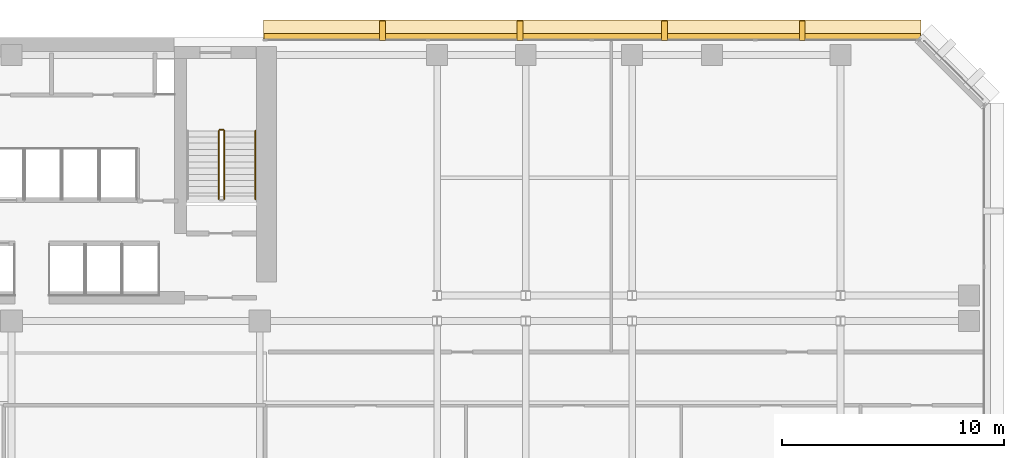
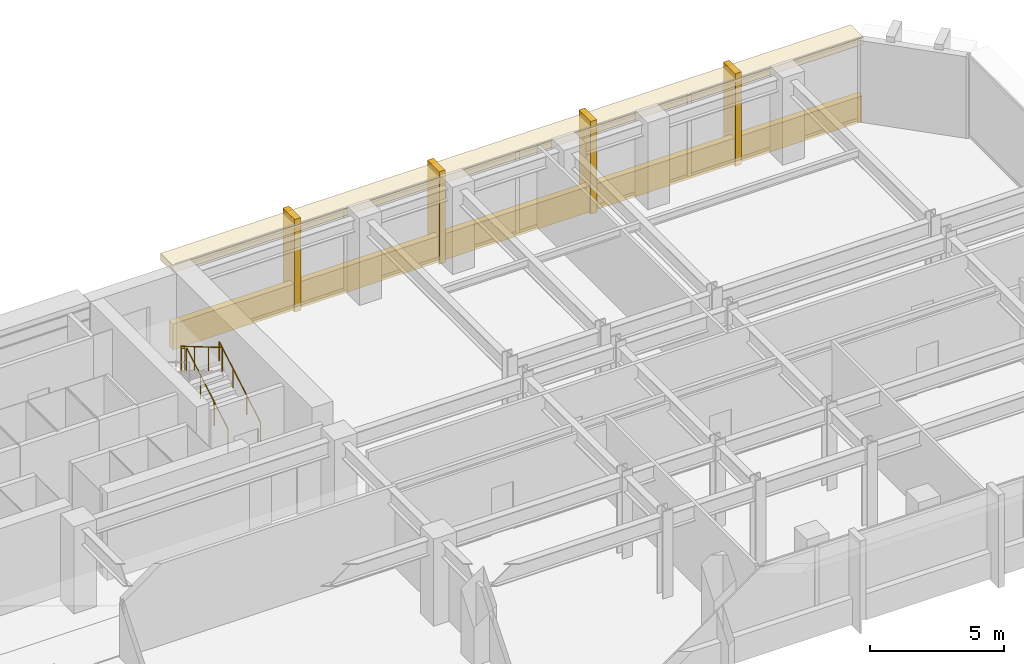
# One storey, part 12 of 13: 6 coverings, 4 railings.
"""IFC4 building model written with IfcOpenShell, lengths in metres."""

from ifc_helpers import new_model, si_unit, direction, frame, origin, origin_2d, place, context, subcontext, project, spatial, rectangle, circle, extrude, material, layer, layer_set, type_object, element, save


model = new_model("IFC4")

# Units and contexts
model_context = context("Model", 3, precision=1e-05, world=origin(), true_north=direction((0.0, 1.0)))
body_context = subcontext(model_context, "Body", "Model", "MODEL_VIEW")
ifc_project = project(units=[si_unit("LENGTHUNIT", "METRE"), si_unit("AREAUNIT", "SQUARE_METRE"), si_unit("VOLUMEUNIT", "CUBIC_METRE"), si_unit("PLANEANGLEUNIT", "RADIAN"), si_unit("MASSUNIT", "GRAM", prefix="KILO")], contexts=[model_context])

# Site, building, storey
site_placement = place(None, origin())
site = spatial("IfcSite", under=ifc_project, at=site_placement, CompositionType="ELEMENT")
building_placement = place(site_placement, origin())
building = spatial("IfcBuilding", under=site, at=building_placement, Name="Kefirva Bronze Tower", CompositionType="ELEMENT")
storey_placement = place(building_placement, frame((0.0, 0.0, 106.590087890625)))
storey = spatial("IfcBuildingStorey", under=building, at=storey_placement, Name="L25", CompositionType="ELEMENT", Elevation=106.590087890625)

# Covering
ifc_material_1 = material(Name="Bronze anodised aluminium", Category="aluminium")
ifc_layer_1 = layer(ifc_material_1, 0.02001953125, Name="Bronze anodised aluminium")
ifc_layer_set_1 = layer_set([ifc_layer_1], Name="Bronze anodised aluminium")
covering_type_1 = type_object("IfcCoveringType", Name="Anodised Bronze Spandrel Cladding 20mm", PredefinedType="CLADDING", material=ifc_layer_set_1)
covering_1_placement = place(storey_placement, frame((38.202392578125, 46.0400390625, -0.16015625), z_axis=(0.0, 0.0, 1.0), x_axis=(-1.0, 0.0, 0.0)))
element("IfcCovering", 1, at=covering_1_placement, inside=storey, type_object=covering_type_1, Name="L25 Streamline Horizontal Spandrel Band 8", PredefinedType="CLADDING", context=body_context, shape_type="SweptSolid", body=[
    extrude(rectangle(XDim=29.635009765625, YDim=0.280029296875, at=origin_2d()), origin(), (0.0, 0.0, 1.0), 1.179931640625),
])

# Railings
ifc_material_2 = material(Name="Stainless steel 316", Category="steel")
railing_type_1 = type_object("IfcRailingType", Name="Interior Stair Guardrail 1100mm", PredefinedType="GUARDRAIL", material=ifc_material_2)
railing_1_placement = place(storey_placement, frame((21.60009765625, 38.699951171875, 0.164794921875)))
element("IfcRailing", 2, at=railing_1_placement, inside=storey, type_object=railing_type_1, Name="L25 ST-2 stair guard 1", PredefinedType="GUARDRAIL", context=body_context, shape_type="SweptSolid", body=[
    extrude(circle(Radius=0.02392578125, at=origin_2d()), frame((0.0, 0.0, 1.076171875), z_axis=(0.0, 0.861521393093, 0.507721271215), x_axis=(-1.0, 0.0, 0.0)), (0.0, 0.0, 1.0), 3.5751953125),
    extrude(circle(Radius=0.02099609375, at=origin_2d()), origin(), (0.0, 0.0, 1.0), 1.052001953125),
    extrude(circle(Radius=0.02099609375, at=origin_2d()), frame((0.0, 1.026611328125, 0.60498046875)), (0.0, 0.0, 1.0), 1.052001953125),
    extrude(circle(Radius=0.02099609375, at=origin_2d()), frame((0.0, 2.053466796875, 1.210205078125)), (0.0, 0.0, 1.0), 1.052001953125),
    extrude(circle(Radius=0.02099609375, at=origin_2d()), frame((0.0, 3.080078125, 1.815185546875)), (0.0, 0.0, 1.0), 1.052001953125),
])
railing_2_placement = place(storey_placement, frame((21.550048828125, 41.830078125, 1.97998046875)))
element("IfcRailing", 3, at=railing_2_placement, inside=storey, type_object=railing_type_1, Name="L25 ST-2 stair guard 2", PredefinedType="GUARDRAIL", context=body_context, shape_type="SweptSolid", body=[
    extrude(circle(Radius=0.02392578125, at=origin_2d()), frame((0.0, 0.0, 1.076171875), z_axis=(-1.0, 0.0, 0.0), x_axis=(0.0, -1.0, 0.0)), (0.0, 0.0, 1.0), 0.150146484375),
    extrude(circle(Radius=0.02099609375, at=origin_2d()), origin(), (0.0, 0.0, 1.0), 1.052001953125),
    extrude(circle(Radius=0.02099609375, at=origin_2d()), frame((-0.150146484375, 0.0, 0.0)), (0.0, 0.0, 1.0), 1.052001953125),
])
railing_3_placement = place(storey_placement, frame((21.35009765625, 41.780029296875, 2.14501953125)))
element("IfcRailing", 4, at=railing_3_placement, inside=storey, type_object=railing_type_1, Name="L25 ST-2 stair guard 3", PredefinedType="GUARDRAIL", context=body_context, shape_type="SweptSolid", body=[
    extrude(circle(Radius=0.02392578125, at=origin_2d()), frame((0.0, 0.0, 1.076171875), z_axis=(0.0, -0.861551262678, 0.507670583921), x_axis=(1.0, 0.0, 0.0)), (0.0, 0.0, 1.0), 3.574951171875),
    extrude(circle(Radius=0.02099609375, at=origin_2d()), origin(), (0.0, 0.0, 1.0), 1.052001953125),
    extrude(circle(Radius=0.02099609375, at=origin_2d()), frame((0.0, -1.026611328125, 0.60498046875)), (0.0, 0.0, 1.0), 1.052001953125),
    extrude(circle(Radius=0.02099609375, at=origin_2d()), frame((0.0, -2.053466796875, 1.2099609375)), (0.0, 0.0, 1.0), 1.052001953125),
    extrude(circle(Radius=0.02099609375, at=origin_2d()), frame((0.0, -3.080078125, 1.81494140625)), (0.0, 0.0, 1.0), 1.052001953125),
])
railing_type_2 = type_object("IfcRailingType", Name="Stair Pitch Handrail 900mm", PredefinedType="HANDRAIL", material=ifc_material_2)
railing_4_placement = place(storey_placement, frame((23.0, 38.699951171875, 0.164794921875)))
element("IfcRailing", 5, at=railing_4_placement, inside=storey, type_object=railing_type_2, Name="L25 ST-2 stair handrail 1", PredefinedType="HANDRAIL", context=body_context, shape_type="SweptSolid", body=[
    extrude(circle(Radius=0.02392578125, at=origin_2d()), frame((0.0, 0.0, 0.8759765625), z_axis=(0.0, 0.861521393093, 0.507721271215), x_axis=(-1.0, 0.0, 0.0)), (0.0, 0.0, 1.0), 3.5751953125),
    extrude(circle(Radius=0.02099609375, at=origin_2d()), origin(), (0.0, 0.0, 1.0), 0.851806640625),
    extrude(circle(Radius=0.02099609375, at=origin_2d()), frame((0.0, 1.026611328125, 0.60498046875)), (0.0, 0.0, 1.0), 0.851806640625),
    extrude(circle(Radius=0.02099609375, at=origin_2d()), frame((0.0, 2.053466796875, 1.210205078125)), (0.0, 0.0, 1.0), 0.851806640625),
    extrude(circle(Radius=0.02099609375, at=origin_2d()), frame((0.0, 3.080078125, 1.815185546875)), (0.0, 0.0, 1.0), 0.851806640625),
])

# Coverings
ifc_layer_2 = layer(ifc_material_1, 0.179931640625, Name="Bronze anodised aluminium")
ifc_layer_set_2 = layer_set([ifc_layer_2], Name="Bronze anodised aluminium")
covering_type_2 = type_object("IfcCoveringType", Name="Streamline Bronze Sunshade Eyebrow Cladding 180mm", PredefinedType="CLADDING", material=ifc_layer_set_2)
covering_2_placement = place(storey_placement, frame((38.202392578125, 46.31005859375, 3.3896484375), z_axis=(0.0, 0.0, 1.0), x_axis=(-1.0, 0.0, 0.0)))
element("IfcCovering", 6, at=covering_2_placement, inside=storey, type_object=covering_type_2, Name="L25 Streamline Bronze Sunshade Eyebrow 8", PredefinedType="CLADDING", context=body_context, shape_type="SweptSolid", body=[
    extrude(rectangle(XDim=29.675048828125, YDim=0.93994140625, at=origin_2d()), origin(), (0.0, 0.0, 1.0), 0.320068359375),
])
ifc_layer_3 = layer(ifc_material_1, 0.260009765625, Name="Bronze anodised aluminium")
ifc_layer_set_3 = layer_set([ifc_layer_3], Name="Bronze anodised aluminium")
covering_type_3 = type_object("IfcCoveringType", Name="Unbroken Bronze Buttress Fin Cladding 260mm", PredefinedType="CLADDING", material=ifc_layer_set_3)
for number, where, z_axis, x_axis, name in (
    (7, (47.6728515625, 46.300048828125, -0.25), (0.0, 0.0, 1.0), (-1.0, 0.0, 0.0), "L25 Unbroken Vertical Bronze Rib Fin 19"),
    (8, (41.4580078125, 46.300048828125, -0.25), (0.0, 0.0, 1.0), (-1.0, 0.0, 0.0), "L25 Unbroken Vertical Bronze Rib Fin 20"),
    (9, (34.947021484375, 46.300048828125, -0.25), (0.0, 0.0, 1.0), (-1.0, 0.0, 0.0), "L25 Unbroken Vertical Bronze Rib Fin 21"),
    (10, (28.732177734375, 46.300048828125, -0.25), (0.0, 0.0, 1.0), (-1.0, 0.0, 0.0), "L25 Unbroken Vertical Bronze Rib Fin 22"),
):
    element("IfcCovering", number, at=place(storey_placement, frame(where, z_axis=z_axis, x_axis=x_axis)), inside=storey, type_object=covering_type_3, Name=name, PredefinedType="CLADDING", context=body_context, shape_type="SweptSolid", body=[
        extrude(rectangle(XDim=0.260009765625, YDim=0.8798828125, at=origin_2d()), origin(), (0.0, 0.0, 1.0), 4.2099609375),
    ])

save(model, "model.ifc")
